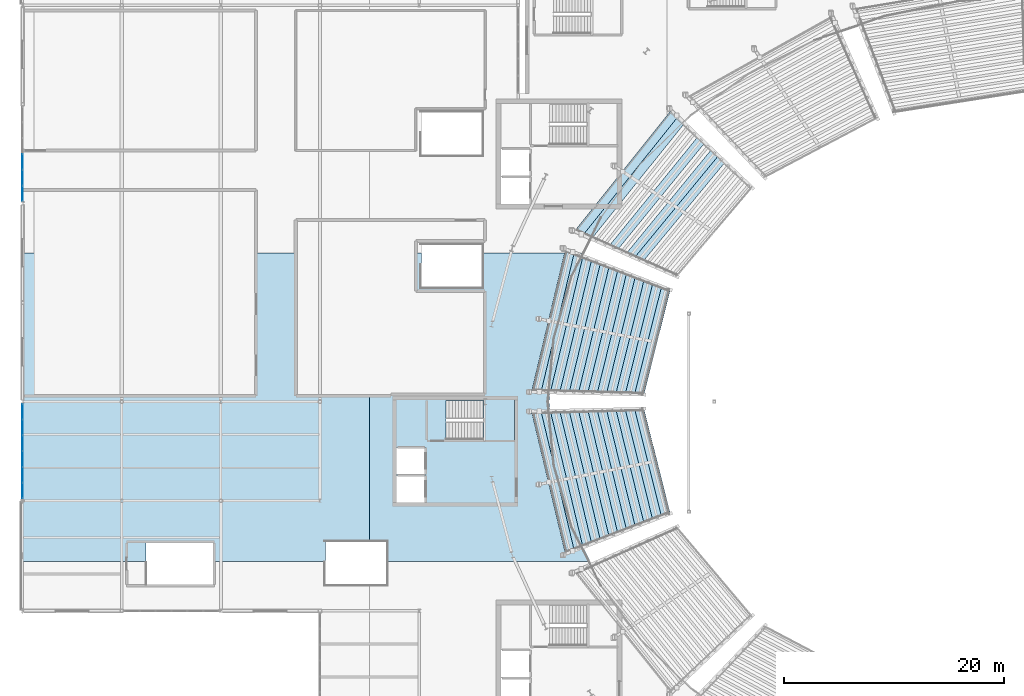
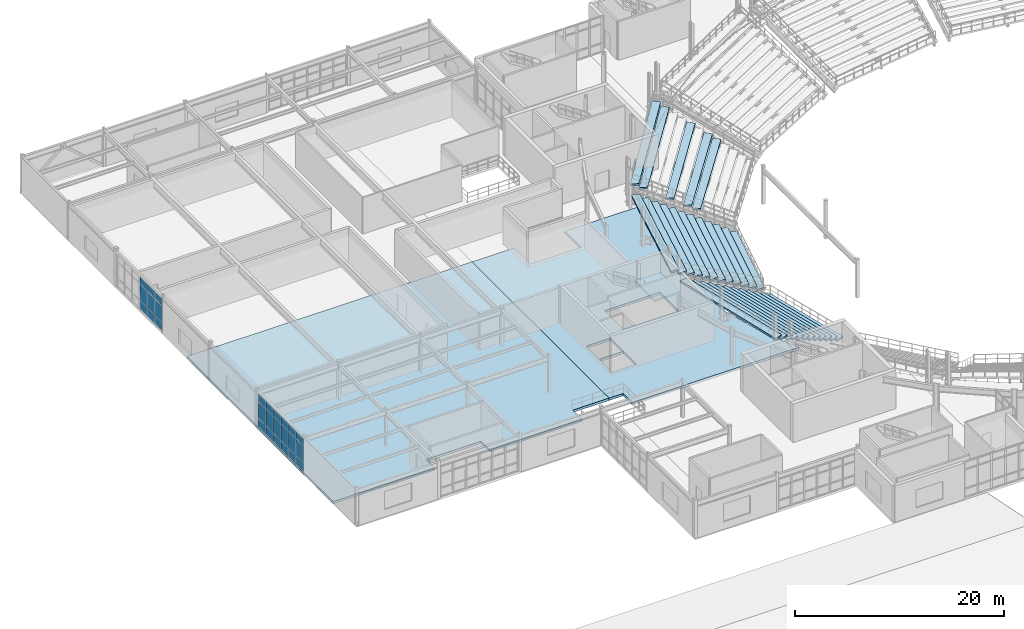
# One storey, part 47 of 81: 32 slabs, 27 plates, 3 elements without a shape of their own.
"""IFC4 building model written with IfcOpenShell, lengths in metres."""

from ifc_helpers import new_model, si_unit, direction, frame, origin, origin_2d, place, context, subcontext, project, spatial, polyline, rectangle, outline, extrude, material, layer, layer_set, type_object, element, aggregate, save


model = new_model("IFC4")

# Units and contexts
model_context = context("Model", 3, precision=1e-05, world=origin(), true_north=direction((0.0, 1.0)))
body_context = subcontext(model_context, "Body", "Model", "MODEL_VIEW")
ifc_project = project(units=[si_unit("LENGTHUNIT", "METRE"), si_unit("AREAUNIT", "SQUARE_METRE"), si_unit("VOLUMEUNIT", "CUBIC_METRE"), si_unit("PLANEANGLEUNIT", "RADIAN"), si_unit("MASSUNIT", "GRAM", prefix="KILO")], contexts=[model_context])

# Site, building, storey
site_placement = place(None, origin())
site = spatial("IfcSite", under=ifc_project, at=site_placement, CompositionType="ELEMENT")
building_placement = place(site_placement, origin())
building = spatial("IfcBuilding", under=site, at=building_placement, Name="Glasvene Arena", CompositionType="ELEMENT")
storey_placement = place(building_placement, frame((0.0, 0.0, 15.0)))
storey = spatial("IfcBuildingStorey", under=building, at=storey_placement, Name="L03", CompositionType="ELEMENT", Elevation=15.0)

# Curtain wall, plates
ifc_material_1 = material(Name="Low-emissivity laminated double glazing", Category="glass")
curtain_wall_type = type_object("IfcCurtainWallType", Name="CW-FAC-L03-864x388", PredefinedType="USERDEFINED", material=ifc_material_1)
curtain_wall_1_placement = place(storey_placement, frame((0.0, 64.19189453125, 0.0)))
curtain_wall_1 = element("IfcCurtainWall", 1, at=curtain_wall_1_placement, inside=storey, type_object=curtain_wall_type, Name="Unitised curtain wall CW-F-L03-150-0-685-4", ObjectType="CURTAIN WALL", PredefinedType="USERDEFINED")
ifc_layer_1 = layer(ifc_material_1, 0.028076171875)
ifc_layer_set_1 = layer_set([ifc_layer_1], Name="Low-emissivity laminated double glazing")
plate_type = type_object("IfcPlateType", Name="CW-GLZ-28", PredefinedType="CURTAIN_PANEL", material=ifc_layer_set_1)
plate_1_placement = place(storey_placement, frame((0.0, 64.924072265625, 0.10986328125), z_axis=(0.0, 0.0, 1.0), x_axis=(0.0, 1.0, 0.0)))
plate_1 = element("IfcPlate", 2, at=plate_1_placement, type_object=plate_type, Name="CW-033 panel 1.1", PredefinedType="CURTAIN_PANEL", context=body_context, shape_type="SweptSolid", body=[
    extrude(rectangle(XDim=1.3642578125, YDim=0.028076171875, at=origin_2d()), origin(), (0.0, 0.0, 1.0), 0.965087890625),
])
plate_2_placement = place(storey_placement, frame((0.0, 64.924072265625, 1.125), z_axis=(0.0, 0.0, 1.0), x_axis=(0.0, 1.0, 0.0)))
plate_2 = element("IfcPlate", 3, at=plate_2_placement, type_object=plate_type, Name="CW-033 panel 1.2", PredefinedType="CURTAIN_PANEL", context=body_context, shape_type="SweptSolid", body=[
    extrude(rectangle(XDim=1.3642578125, YDim=0.028076171875, at=origin_2d()), origin(), (0.0, 0.0, 1.0), 1.89501953125),
])
plate_3_placement = place(storey_placement, frame((0.0, 64.924072265625, 3.06982421875), z_axis=(0.0, 0.0, 1.0), x_axis=(0.0, 1.0, 0.0)))
plate_3 = element("IfcPlate", 4, at=plate_3_placement, type_object=plate_type, Name="CW-033 panel 1.3", PredefinedType="CURTAIN_PANEL", context=body_context, shape_type="SweptSolid", body=[
    extrude(rectangle(XDim=1.3642578125, YDim=0.028076171875, at=origin_2d()), origin(), (0.0, 0.0, 1.0), 0.824951171875),
])
plate_4_placement = place(storey_placement, frame((0.0, 66.35107421875, 0.10986328125), z_axis=(0.0, 0.0, 1.0), x_axis=(0.0, 1.0, 0.0)))
plate_4 = element("IfcPlate", 5, at=plate_4_placement, type_object=plate_type, Name="CW-033 panel 2.1", PredefinedType="CURTAIN_PANEL", context=body_context, shape_type="SweptSolid", body=[
    extrude(rectangle(XDim=1.389404296875, YDim=0.028076171875, at=origin_2d()), origin(), (0.0, 0.0, 1.0), 0.965087890625),
])
plate_5_placement = place(storey_placement, frame((0.0, 66.35107421875, 1.125), z_axis=(0.0, 0.0, 1.0), x_axis=(0.0, 1.0, 0.0)))
plate_5 = element("IfcPlate", 6, at=plate_5_placement, type_object=plate_type, Name="CW-033 panel 2.2", PredefinedType="CURTAIN_PANEL", context=body_context, shape_type="SweptSolid", body=[
    extrude(rectangle(XDim=1.389404296875, YDim=0.028076171875, at=origin_2d()), origin(), (0.0, 0.0, 1.0), 1.89501953125),
])
plate_6_placement = place(storey_placement, frame((0.0, 66.35107421875, 3.06982421875), z_axis=(0.0, 0.0, 1.0), x_axis=(0.0, 1.0, 0.0)))
plate_6 = element("IfcPlate", 7, at=plate_6_placement, type_object=plate_type, Name="CW-033 panel 2.3", PredefinedType="CURTAIN_PANEL", context=body_context, shape_type="SweptSolid", body=[
    extrude(rectangle(XDim=1.389404296875, YDim=0.028076171875, at=origin_2d()), origin(), (0.0, 0.0, 1.0), 0.824951171875),
])
plate_7_placement = place(storey_placement, frame((0.0, 67.790283203125, 0.10986328125), z_axis=(0.0, 0.0, 1.0), x_axis=(0.0, 1.0, 0.0)))
plate_7 = element("IfcPlate", 8, at=plate_7_placement, type_object=plate_type, Name="CW-033 panel 3.1", PredefinedType="CURTAIN_PANEL", context=body_context, shape_type="SweptSolid", body=[
    extrude(rectangle(XDim=1.389404296875, YDim=0.028076171875, at=origin_2d()), origin(), (0.0, 0.0, 1.0), 0.965087890625),
])
plate_8_placement = place(storey_placement, frame((0.0, 67.790283203125, 1.125), z_axis=(0.0, 0.0, 1.0), x_axis=(0.0, 1.0, 0.0)))
plate_8 = element("IfcPlate", 9, at=plate_8_placement, type_object=plate_type, Name="CW-033 panel 3.2", PredefinedType="CURTAIN_PANEL", context=body_context, shape_type="SweptSolid", body=[
    extrude(rectangle(XDim=1.389404296875, YDim=0.028076171875, at=origin_2d()), origin(), (0.0, 0.0, 1.0), 1.89501953125),
])
plate_9_placement = place(storey_placement, frame((0.0, 67.790283203125, 3.06982421875), z_axis=(0.0, 0.0, 1.0), x_axis=(0.0, 1.0, 0.0)))
plate_9 = element("IfcPlate", 10, at=plate_9_placement, type_object=plate_type, Name="CW-033 panel 3.3", PredefinedType="CURTAIN_PANEL", context=body_context, shape_type="SweptSolid", body=[
    extrude(rectangle(XDim=1.389404296875, YDim=0.028076171875, at=origin_2d()), origin(), (0.0, 0.0, 1.0), 0.824951171875),
])
plate_10_placement = place(storey_placement, frame((0.0, 69.2294921875, 0.10986328125), z_axis=(0.0, 0.0, 1.0), x_axis=(0.0, 1.0, 0.0)))
plate_10 = element("IfcPlate", 11, at=plate_10_placement, type_object=plate_type, Name="CW-033 panel 4.1", PredefinedType="CURTAIN_PANEL", context=body_context, shape_type="SweptSolid", body=[
    extrude(rectangle(XDim=1.389404296875, YDim=0.028076171875, at=origin_2d()), origin(), (0.0, 0.0, 1.0), 0.965087890625),
])
plate_11_placement = place(storey_placement, frame((0.0, 69.2294921875, 1.125), z_axis=(0.0, 0.0, 1.0), x_axis=(0.0, 1.0, 0.0)))
plate_11 = element("IfcPlate", 12, at=plate_11_placement, type_object=plate_type, Name="CW-033 panel 4.2", PredefinedType="CURTAIN_PANEL", context=body_context, shape_type="SweptSolid", body=[
    extrude(rectangle(XDim=1.389404296875, YDim=0.028076171875, at=origin_2d()), origin(), (0.0, 0.0, 1.0), 1.89501953125),
])
plate_12_placement = place(storey_placement, frame((0.0, 69.2294921875, 3.06982421875), z_axis=(0.0, 0.0, 1.0), x_axis=(0.0, 1.0, 0.0)))
plate_12 = element("IfcPlate", 13, at=plate_12_placement, type_object=plate_type, Name="CW-033 panel 4.3", PredefinedType="CURTAIN_PANEL", context=body_context, shape_type="SweptSolid", body=[
    extrude(rectangle(XDim=1.389404296875, YDim=0.028076171875, at=origin_2d()), origin(), (0.0, 0.0, 1.0), 0.824951171875),
])
plate_13_placement = place(storey_placement, frame((0.0, 70.6689453125, 0.10986328125), z_axis=(0.0, 0.0, 1.0), x_axis=(0.0, 1.0, 0.0)))
plate_13 = element("IfcPlate", 14, at=plate_13_placement, type_object=plate_type, Name="CW-033 panel 5.1", PredefinedType="CURTAIN_PANEL", context=body_context, shape_type="SweptSolid", body=[
    extrude(rectangle(XDim=1.389404296875, YDim=0.028076171875, at=origin_2d()), origin(), (0.0, 0.0, 1.0), 0.965087890625),
])
plate_14_placement = place(storey_placement, frame((0.0, 70.6689453125, 1.125), z_axis=(0.0, 0.0, 1.0), x_axis=(0.0, 1.0, 0.0)))
plate_14 = element("IfcPlate", 15, at=plate_14_placement, type_object=plate_type, Name="CW-033 panel 5.2", PredefinedType="CURTAIN_PANEL", context=body_context, shape_type="SweptSolid", body=[
    extrude(rectangle(XDim=1.389404296875, YDim=0.028076171875, at=origin_2d()), origin(), (0.0, 0.0, 1.0), 1.89501953125),
])
plate_15_placement = place(storey_placement, frame((0.0, 70.6689453125, 3.06982421875), z_axis=(0.0, 0.0, 1.0), x_axis=(0.0, 1.0, 0.0)))
plate_15 = element("IfcPlate", 16, at=plate_15_placement, type_object=plate_type, Name="CW-033 panel 5.3", PredefinedType="CURTAIN_PANEL", context=body_context, shape_type="SweptSolid", body=[
    extrude(rectangle(XDim=1.389404296875, YDim=0.028076171875, at=origin_2d()), origin(), (0.0, 0.0, 1.0), 0.824951171875),
])
plate_16_placement = place(storey_placement, frame((0.0, 72.095703125, 0.10986328125), z_axis=(0.0, 0.0, 1.0), x_axis=(0.0, 1.0, 0.0)))
plate_16 = element("IfcPlate", 17, at=plate_16_placement, type_object=plate_type, Name="CW-033 panel 6.1", PredefinedType="CURTAIN_PANEL", context=body_context, shape_type="SweptSolid", body=[
    extrude(rectangle(XDim=1.3642578125, YDim=0.028076171875, at=origin_2d()), origin(), (0.0, 0.0, 1.0), 0.965087890625),
])
plate_17_placement = place(storey_placement, frame((0.0, 72.095703125, 1.125), z_axis=(0.0, 0.0, 1.0), x_axis=(0.0, 1.0, 0.0)))
plate_17 = element("IfcPlate", 18, at=plate_17_placement, type_object=plate_type, Name="CW-033 panel 6.2", PredefinedType="CURTAIN_PANEL", context=body_context, shape_type="SweptSolid", body=[
    extrude(rectangle(XDim=1.3642578125, YDim=0.028076171875, at=origin_2d()), origin(), (0.0, 0.0, 1.0), 1.89501953125),
])
plate_18_placement = place(storey_placement, frame((0.0, 72.095703125, 3.06982421875), z_axis=(0.0, 0.0, 1.0), x_axis=(0.0, 1.0, 0.0)))
plate_18 = element("IfcPlate", 19, at=plate_18_placement, type_object=plate_type, Name="CW-033 panel 6.3", PredefinedType="CURTAIN_PANEL", context=body_context, shape_type="SweptSolid", body=[
    extrude(rectangle(XDim=1.3642578125, YDim=0.028076171875, at=origin_2d()), origin(), (0.0, 0.0, 1.0), 0.824951171875),
])
aggregate(curtain_wall_1, [plate_1, plate_2, plate_3, plate_4, plate_5, plate_6, plate_7, plate_8, plate_9, plate_10, plate_11, plate_12, plate_13, plate_14, plate_15, plate_16, plate_17, plate_18])

curtain_wall_2_placement = place(storey_placement, frame((0.0, 91.172119140625, 0.0)))
curtain_wall_2 = element("IfcCurtainWall", 20, at=curtain_wall_2_placement, inside=storey, type_object=curtain_wall_type, Name="Unitised curtain wall CW-F-L03-150-0-955-7", ObjectType="CURTAIN WALL", PredefinedType="USERDEFINED")
plate_19_placement = place(storey_placement, frame((0.0, 91.904296875, 0.10986328125), z_axis=(0.0, 0.0, 1.0), x_axis=(0.0, 1.0, 0.0)))
plate_19 = element("IfcPlate", 21, at=plate_19_placement, type_object=plate_type, Name="CW-033 panel 1.1", PredefinedType="CURTAIN_PANEL", context=body_context, shape_type="SweptSolid", body=[
    extrude(rectangle(XDim=1.3642578125, YDim=0.028076171875, at=origin_2d()), origin(), (0.0, 0.0, 1.0), 0.965087890625),
])
plate_20_placement = place(storey_placement, frame((0.0, 91.904296875, 1.125), z_axis=(0.0, 0.0, 1.0), x_axis=(0.0, 1.0, 0.0)))
plate_20 = element("IfcPlate", 22, at=plate_20_placement, type_object=plate_type, Name="CW-033 panel 1.2", PredefinedType="CURTAIN_PANEL", context=body_context, shape_type="SweptSolid", body=[
    extrude(rectangle(XDim=1.3642578125, YDim=0.028076171875, at=origin_2d()), origin(), (0.0, 0.0, 1.0), 1.89501953125),
])
plate_21_placement = place(storey_placement, frame((0.0, 91.904296875, 3.06982421875), z_axis=(0.0, 0.0, 1.0), x_axis=(0.0, 1.0, 0.0)))
plate_21 = element("IfcPlate", 23, at=plate_21_placement, type_object=plate_type, Name="CW-033 panel 1.3", PredefinedType="CURTAIN_PANEL", context=body_context, shape_type="SweptSolid", body=[
    extrude(rectangle(XDim=1.3642578125, YDim=0.028076171875, at=origin_2d()), origin(), (0.0, 0.0, 1.0), 0.824951171875),
])
plate_22_placement = place(storey_placement, frame((0.0, 93.3310546875, 0.10986328125), z_axis=(0.0, 0.0, 1.0), x_axis=(0.0, 1.0, 0.0)))
plate_22 = element("IfcPlate", 24, at=plate_22_placement, type_object=plate_type, Name="CW-033 panel 2.1", PredefinedType="CURTAIN_PANEL", context=body_context, shape_type="SweptSolid", body=[
    extrude(rectangle(XDim=1.389404296875, YDim=0.028076171875, at=origin_2d()), origin(), (0.0, 0.0, 1.0), 0.965087890625),
])
plate_23_placement = place(storey_placement, frame((0.0, 93.3310546875, 1.125), z_axis=(0.0, 0.0, 1.0), x_axis=(0.0, 1.0, 0.0)))
plate_23 = element("IfcPlate", 25, at=plate_23_placement, type_object=plate_type, Name="CW-033 panel 2.2", PredefinedType="CURTAIN_PANEL", context=body_context, shape_type="SweptSolid", body=[
    extrude(rectangle(XDim=1.389404296875, YDim=0.028076171875, at=origin_2d()), origin(), (0.0, 0.0, 1.0), 1.89501953125),
])
plate_24_placement = place(storey_placement, frame((0.0, 93.3310546875, 3.06982421875), z_axis=(0.0, 0.0, 1.0), x_axis=(0.0, 1.0, 0.0)))
plate_24 = element("IfcPlate", 26, at=plate_24_placement, type_object=plate_type, Name="CW-033 panel 2.3", PredefinedType="CURTAIN_PANEL", context=body_context, shape_type="SweptSolid", body=[
    extrude(rectangle(XDim=1.389404296875, YDim=0.028076171875, at=origin_2d()), origin(), (0.0, 0.0, 1.0), 0.824951171875),
])
plate_25_placement = place(storey_placement, frame((0.0, 94.7705078125, 0.10986328125), z_axis=(0.0, 0.0, 1.0), x_axis=(0.0, 1.0, 0.0)))
plate_25 = element("IfcPlate", 27, at=plate_25_placement, type_object=plate_type, Name="CW-033 panel 3.1", PredefinedType="CURTAIN_PANEL", context=body_context, shape_type="SweptSolid", body=[
    extrude(rectangle(XDim=1.389404296875, YDim=0.028076171875, at=origin_2d()), origin(), (0.0, 0.0, 1.0), 0.965087890625),
])
plate_26_placement = place(storey_placement, frame((0.0, 94.7705078125, 1.125), z_axis=(0.0, 0.0, 1.0), x_axis=(0.0, 1.0, 0.0)))
plate_26 = element("IfcPlate", 28, at=plate_26_placement, type_object=plate_type, Name="CW-033 panel 3.2", PredefinedType="CURTAIN_PANEL", context=body_context, shape_type="SweptSolid", body=[
    extrude(rectangle(XDim=1.389404296875, YDim=0.028076171875, at=origin_2d()), origin(), (0.0, 0.0, 1.0), 1.89501953125),
])
plate_27_placement = place(storey_placement, frame((0.0, 94.7705078125, 3.06982421875), z_axis=(0.0, 0.0, 1.0), x_axis=(0.0, 1.0, 0.0)))
plate_27 = element("IfcPlate", 29, at=plate_27_placement, type_object=plate_type, Name="CW-033 panel 3.3", PredefinedType="CURTAIN_PANEL", context=body_context, shape_type="SweptSolid", body=[
    extrude(rectangle(XDim=1.389404296875, YDim=0.028076171875, at=origin_2d()), origin(), (0.0, 0.0, 1.0), 0.824951171875),
])
aggregate(curtain_wall_2, [plate_19, plate_20, plate_21, plate_22, plate_23, plate_24, plate_25, plate_26, plate_27])

# Slabs
ifc_material_2 = material(Name="Concrete C40/50", Category="concrete")
ifc_layer_2 = layer(ifc_material_2, 0.280029296875)
ifc_layer_set_2 = layer_set([ifc_layer_2], Name="Concrete C40/50")
slab_type_1 = type_object("IfcSlabType", Name="SL-CONC-280", PredefinedType="FLOOR", material=ifc_layer_set_2)
slab_1_placement = place(storey_placement, frame((17.500732421875, 64.780029296875, -0.280029296875)))
element("IfcSlab", 30, at=slab_1_placement, inside=storey, type_object=slab_type_1, Name="Structural floor slab L03 sector 3-1 (91)", PredefinedType="FLOOR", context=body_context, shape_type="SweptSolid", body=[
    extrude(outline(polyline([(13.999267578125, 21.719970703125), (13.999267578125, -4.530029296875), (10.001220703125, -4.530029296875), (10.001220703125, -6.280029296875), (-0.20068359375, -6.280029296875), (-0.20068359375, -4.630126953125), (-6.298828125, -4.630126953125), (-6.298828125, -6.280029296875), (-17.500732421875, -6.280029296875), (-17.500732421875, 21.719970703125), (13.999267578125, 21.719970703125)])), origin(), (0.0, 0.0, 1.0), 0.280029296875),
])
slab_2_placement = place(storey_placement, frame((42.130615234375, 74.353271484375, -0.280029296875)))
element("IfcSlab", 31, at=slab_2_placement, inside=storey, type_object=slab_type_1, Name="Structural floor slab L03 sector 3-2 (92)", PredefinedType="FLOOR", context=body_context, shape_type="SweptSolid", body=[
    extrude(outline(polyline([(6.213623046875, 4.387939453125), (5.66943359375, -1.353271484375), (6.213623046875, -7.094482421875), (7.832763671875, -12.694091796875), (9.40869140625, -15.853271484375), (-9.090576171875, -15.853271484375), (-9.090576171875, -14.103271484375), (-10.630615234375, -14.103271484375), (-10.630615234375, 12.146728515625), (-5.9287109375, 12.146728515625), (-5.9287109375, 9.046630859375), (-0.390625, 9.046630859375), (-0.390625, 12.146728515625), (8.90966796875, 12.146728515625), (7.832763671875, 9.987548828125), (6.213623046875, 4.387939453125)]), holes=[polyline([(-5.530517578125, -10.503173828125), (-5.530517578125, -8.05322265625), (-8.1806640625, -8.05322265625), (-8.1806640625, -10.503173828125), (-5.530517578125, -10.503173828125)]), polyline([(-5.530517578125, -7.953369140625), (-5.530517578125, -5.503173828125), (-8.1806640625, -5.503173828125), (-8.1806640625, -7.953369140625), (-5.530517578125, -7.953369140625)]), polyline([(2.41943359375, -4.80322265625), (2.41943359375, -1.253173828125), (-3.6787109375, -1.253173828125), (-3.6787109375, -4.80322265625), (2.41943359375, -4.80322265625)])]), origin(), (0.0, 0.0, 1.0), 0.280029296875),
])

# Stair, slab
stair_type = type_object("IfcStairType", Name="ST-HT-450-165", PredefinedType="HALF_TURN_STAIR", material=ifc_material_2)
stair_placement = place(storey_placement, origin())
stair = element("IfcStair", 32, at=stair_placement, inside=storey, type_object=stair_type, Name="Protected escape stair ST-07 (L03 to L04)", PredefinedType="HALF_TURN_STAIR")
ifc_layer_3 = layer(ifc_material_2, 0.219970703125)
ifc_layer_set_3 = layer_set([ifc_layer_3], Name="Concrete C40/50")
slab_type_2 = type_object("IfcSlabType", Name="SL-LAND-220", PredefinedType="LANDING", material=ifc_layer_set_3)
slab_3_placement = place(storey_placement, frame((43.22998046875, 71.324951171875, 2.030029296875)))
slab_3 = element("IfcSlab", 33, at=slab_3_placement, type_object=slab_type_2, Name="Protected escape stair ST-07 (L03 to L04) landing 1", PredefinedType="LANDING", context=body_context, shape_type="SweptSolid", body=[
    extrude(outline(polyline([(-1.419921875, -1.875), (1.419921875, -1.875), (1.419921875, 1.875), (-1.419921875, 1.875), (-1.419921875, -1.875)])), origin(), (0.0, 0.0, 1.0), 0.219970703125),
])
aggregate(stair, [slab_3])

# Slabs
ifc_material_3 = material(Name="Precast concrete C50/60", Category="concrete")
ifc_layer_4 = layer(ifc_material_3, 0.199951171875)
ifc_layer_set_4 = layer_set([ifc_layer_4], Name="Precast concrete C50/60")
slab_type_3 = type_object("IfcSlabType", Name="SL-TIER-UP", PredefinedType="USERDEFINED", material=ifc_layer_set_4)
slab_4_placement = place(storey_placement, frame((59.71240234375, 90.4697265625, -2.179931640625)))
element("IfcSlab", 34, at=slab_4_placement, inside=storey, type_object=slab_type_3, Name="Stand upper tier sector 07 row 05", ObjectType="SEATING TIER", PredefinedType="USERDEFINED", context=body_context, shape_type="SweptSolid", body=[
    extrude(outline(polyline([(4.091796875, 4.29296875), (-3.395751953125, -4.758056640625), (-4.173583984375, -4.4150390625), (3.477294921875, 4.88037109375), (4.091796875, 4.29296875)])), origin(), (0.0, 0.0, 1.0), 0.199951171875),
])
slab_5_placement = place(storey_placement, frame((59.016357421875, 90.934814453125, -1.699951171875)))
element("IfcSlab", 35, at=slab_5_placement, inside=storey, type_object=slab_type_3, Name="Stand upper tier sector 07 row 06", ObjectType="SEATING TIER", PredefinedType="USERDEFINED", context=body_context, shape_type="SweptSolid", body=[
    extrude(outline(polyline([(4.17333984375, 4.415283203125), (-3.4775390625, -4.880126953125), (-4.25537109375, -4.537109375), (3.558837890625, 5.00244140625), (4.17333984375, 4.415283203125)])), origin(), (0.0, 0.0, 1.0), 0.199951171875),
])
slab_6_placement = place(storey_placement, frame((57.6240234375, 91.865234375, -0.739990234375)))
element("IfcSlab", 36, at=slab_6_placement, inside=storey, type_object=slab_type_3, Name="Stand upper tier sector 07 row 08", ObjectType="SEATING TIER", PredefinedType="USERDEFINED", context=body_context, shape_type="SweptSolid", body=[
    extrude(outline(polyline([(4.336669921875, 4.6591796875), (-3.640625, -5.12451171875), (-4.418212890625, -4.781494140625), (3.72216796875, 5.24658203125), (4.336669921875, 4.6591796875)])), origin(), (0.0, 0.0, 1.0), 0.199951171875),
])
slab_7_placement = place(storey_placement, frame((55.53564453125, 93.260498046875, 0.699951171875)))
element("IfcSlab", 37, at=slab_7_placement, inside=storey, type_object=slab_type_3, Name="Stand upper tier sector 07 row 11", ObjectType="SEATING TIER", PredefinedType="USERDEFINED", context=body_context, shape_type="SweptSolid", body=[
    extrude(outline(polyline([(4.58154296875, 5.02587890625), (-3.88525390625, -5.49072265625), (-4.6630859375, -5.147705078125), (3.967041015625, 5.613037109375), (4.58154296875, 5.02587890625)])), origin(), (0.0, 0.0, 1.0), 0.199951171875),
])
slab_8_placement = place(storey_placement, frame((54.839599609375, 93.725830078125, 1.179931640625)))
element("IfcSlab", 38, at=slab_8_placement, inside=storey, type_object=slab_type_3, Name="Stand upper tier sector 07 row 12", ObjectType="SEATING TIER", PredefinedType="USERDEFINED", context=body_context, shape_type="SweptSolid", body=[
    extrude(outline(polyline([(4.6630859375, 5.147705078125), (-3.967041015625, -5.613037109375), (-4.744873046875, -5.27001953125), (4.048583984375, 5.73486328125), (4.6630859375, 5.147705078125)])), origin(), (0.0, 0.0, 1.0), 0.199951171875),
])
slab_9_placement = place(storey_placement, frame((57.19873046875, 78.481201171875, -4.10009765625)))
element("IfcSlab", 39, at=slab_9_placement, inside=storey, type_object=slab_type_3, Name="Stand upper tier sector 08 row 01", ObjectType="SEATING TIER", PredefinedType="USERDEFINED", context=body_context, shape_type="SweptSolid", body=[
    extrude(outline(polyline([(1.610595703125, 4.680419921875), (-0.78955078125, -4.84375), (-1.639404296875, -4.824462890625), (0.818115234375, 4.98779296875), (1.610595703125, 4.680419921875)])), origin(), (0.0, 0.0, 1.0), 0.2001953125),
])
slab_10_placement = place(storey_placement, frame((56.37744140625, 78.64453125, -3.6201171875)))
element("IfcSlab", 40, at=slab_10_placement, inside=storey, type_object=slab_type_3, Name="Stand upper tier sector 08 row 02", ObjectType="SEATING TIER", PredefinedType="USERDEFINED", context=body_context, shape_type="SweptSolid", body=[
    extrude(outline(polyline([(1.639404296875, 4.824462890625), (-0.818115234375, -4.98779296875), (-1.667724609375, -4.968505859375), (0.846923828125, 5.1318359375), (1.639404296875, 4.824462890625)])), origin(), (0.0, 0.0, 1.0), 0.2001953125),
])
slab_11_placement = place(storey_placement, frame((55.556396484375, 78.807861328125, -3.139892578125)))
element("IfcSlab", 41, at=slab_11_placement, inside=storey, type_object=slab_type_3, Name="Stand upper tier sector 08 row 03", ObjectType="SEATING TIER", PredefinedType="USERDEFINED", context=body_context, shape_type="SweptSolid", body=[
    extrude(outline(polyline([(1.66796875, 4.968505859375), (-0.8466796875, -5.1318359375), (-1.696533203125, -5.112548828125), (0.87548828125, 5.27587890625), (1.66796875, 4.968505859375)])), origin(), (0.0, 0.0, 1.0), 0.199951171875),
])
slab_12_placement = place(storey_placement, frame((54.7353515625, 78.97119140625, -2.659912109375)))
element("IfcSlab", 42, at=slab_12_placement, inside=storey, type_object=slab_type_3, Name="Stand upper tier sector 08 row 04", ObjectType="SEATING TIER", PredefinedType="USERDEFINED", context=body_context, shape_type="SweptSolid", body=[
    extrude(outline(polyline([(1.696533203125, 5.112548828125), (-0.87548828125, -5.27587890625), (-1.725341796875, -5.256591796875), (0.904052734375, 5.419921875), (1.696533203125, 5.112548828125)])), origin(), (0.0, 0.0, 1.0), 0.199951171875),
])
slab_13_placement = place(storey_placement, frame((53.9140625, 79.134521484375, -2.179931640625)))
element("IfcSlab", 43, at=slab_13_placement, inside=storey, type_object=slab_type_3, Name="Stand upper tier sector 08 row 05", ObjectType="SEATING TIER", PredefinedType="USERDEFINED", context=body_context, shape_type="SweptSolid", body=[
    extrude(outline(polyline([(1.725341796875, 5.256591796875), (-0.904052734375, -5.419921875), (-1.753662109375, -5.400634765625), (0.932861328125, 5.56396484375), (1.725341796875, 5.256591796875)])), origin(), (0.0, 0.0, 1.0), 0.199951171875),
])
slab_14_placement = place(storey_placement, frame((53.093017578125, 79.2978515625, -1.699951171875)))
element("IfcSlab", 44, at=slab_14_placement, inside=storey, type_object=slab_type_3, Name="Stand upper tier sector 08 row 06", ObjectType="SEATING TIER", PredefinedType="USERDEFINED", context=body_context, shape_type="SweptSolid", body=[
    extrude(outline(polyline([(1.75390625, 5.400634765625), (-0.9326171875, -5.56396484375), (-1.782470703125, -5.544677734375), (0.96142578125, 5.7080078125), (1.75390625, 5.400634765625)])), origin(), (0.0, 0.0, 1.0), 0.199951171875),
])
slab_15_placement = place(storey_placement, frame((52.27197265625, 79.461181640625, -1.219970703125)))
element("IfcSlab", 45, at=slab_15_placement, inside=storey, type_object=slab_type_3, Name="Stand upper tier sector 08 row 07", ObjectType="SEATING TIER", PredefinedType="USERDEFINED", context=body_context, shape_type="SweptSolid", body=[
    extrude(outline(polyline([(1.782470703125, 5.544677734375), (-0.96142578125, -5.7080078125), (-1.811279296875, -5.688720703125), (0.989990234375, 5.85205078125), (1.782470703125, 5.544677734375)])), origin(), (0.0, 0.0, 1.0), 0.199951171875),
])
slab_16_placement = place(storey_placement, frame((51.45068359375, 79.62451171875, -0.739990234375)))
element("IfcSlab", 46, at=slab_16_placement, inside=storey, type_object=slab_type_3, Name="Stand upper tier sector 08 row 08", ObjectType="SEATING TIER", PredefinedType="USERDEFINED", context=body_context, shape_type="SweptSolid", body=[
    extrude(outline(polyline([(1.811279296875, 5.688720703125), (-0.989990234375, -5.85205078125), (-1.83984375, -5.832763671875), (1.018798828125, 5.99609375), (1.811279296875, 5.688720703125)])), origin(), (0.0, 0.0, 1.0), 0.199951171875),
])
slab_17_placement = place(storey_placement, frame((50.629638671875, 79.787841796875, -0.260009765625)))
element("IfcSlab", 47, at=slab_17_placement, inside=storey, type_object=slab_type_3, Name="Stand upper tier sector 08 row 09", ObjectType="SEATING TIER", PredefinedType="USERDEFINED", context=body_context, shape_type="SweptSolid", body=[
    extrude(outline(polyline([(1.83984375, 5.832763671875), (-1.018798828125, -5.99609375), (-1.86865234375, -5.976806640625), (1.04736328125, 6.14013671875), (1.83984375, 5.832763671875)])), origin(), (0.0, 0.0, 1.0), 0.199951171875),
])
slab_18_placement = place(storey_placement, frame((49.80859375, 79.951171875, 0.219970703125)))
element("IfcSlab", 48, at=slab_18_placement, inside=storey, type_object=slab_type_3, Name="Stand upper tier sector 08 row 10", ObjectType="SEATING TIER", PredefinedType="USERDEFINED", context=body_context, shape_type="SweptSolid", body=[
    extrude(outline(polyline([(1.868408203125, 5.976806640625), (-1.047607421875, -6.14013671875), (-1.897216796875, -6.120849609375), (1.075927734375, 6.284423828125), (1.868408203125, 5.976806640625)])), origin(), (0.0, 0.0, 1.0), 0.199951171875),
])
slab_19_placement = place(storey_placement, frame((48.9873046875, 80.114501953125, 0.699951171875)))
element("IfcSlab", 49, at=slab_19_placement, inside=storey, type_object=slab_type_3, Name="Stand upper tier sector 08 row 11", ObjectType="SEATING TIER", PredefinedType="USERDEFINED", context=body_context, shape_type="SweptSolid", body=[
    extrude(outline(polyline([(1.897216796875, 6.12109375), (-1.075927734375, -6.2841796875), (-1.92578125, -6.264892578125), (1.104736328125, 6.42822265625), (1.897216796875, 6.12109375)])), origin(), (0.0, 0.0, 1.0), 0.199951171875),
])
slab_20_placement = place(storey_placement, frame((48.166259765625, 80.27783203125, 1.179931640625)))
element("IfcSlab", 50, at=slab_20_placement, inside=storey, type_object=slab_type_3, Name="Stand upper tier sector 08 row 12", ObjectType="SEATING TIER", PredefinedType="USERDEFINED", context=body_context, shape_type="SweptSolid", body=[
    extrude(outline(polyline([(1.92578125, 6.264892578125), (-1.104736328125, -6.42822265625), (-1.954345703125, -6.408935546875), (1.13330078125, 6.572265625), (1.92578125, 6.264892578125)])), origin(), (0.0, 0.0, 1.0), 0.199951171875),
])
slab_21_placement = place(storey_placement, frame((57.19873046875, 67.518798828125, -4.10009765625)))
element("IfcSlab", 51, at=slab_21_placement, inside=storey, type_object=slab_type_3, Name="Stand upper tier sector 09 row 01", ObjectType="SEATING TIER", PredefinedType="USERDEFINED", context=body_context, shape_type="SweptSolid", body=[
    extrude(outline(polyline([(-0.78955078125, 4.84375), (1.610595703125, -4.680419921875), (0.818115234375, -4.98779296875), (-1.639404296875, 4.824462890625), (-0.78955078125, 4.84375)])), origin(), (0.0, 0.0, 1.0), 0.2001953125),
])
slab_22_placement = place(storey_placement, frame((56.37744140625, 67.35546875, -3.6201171875)))
element("IfcSlab", 52, at=slab_22_placement, inside=storey, type_object=slab_type_3, Name="Stand upper tier sector 09 row 02", ObjectType="SEATING TIER", PredefinedType="USERDEFINED", context=body_context, shape_type="SweptSolid", body=[
    extrude(outline(polyline([(-0.818115234375, 4.98779296875), (1.639404296875, -4.824462890625), (0.846923828125, -5.1318359375), (-1.667724609375, 4.968505859375), (-0.818115234375, 4.98779296875)])), origin(), (0.0, 0.0, 1.0), 0.2001953125),
])
slab_23_placement = place(storey_placement, frame((55.556396484375, 67.192138671875, -3.139892578125)))
element("IfcSlab", 53, at=slab_23_placement, inside=storey, type_object=slab_type_3, Name="Stand upper tier sector 09 row 03", ObjectType="SEATING TIER", PredefinedType="USERDEFINED", context=body_context, shape_type="SweptSolid", body=[
    extrude(outline(polyline([(-0.8466796875, 5.1318359375), (1.66796875, -4.968505859375), (0.87548828125, -5.27587890625), (-1.696533203125, 5.112548828125), (-0.8466796875, 5.1318359375)])), origin(), (0.0, 0.0, 1.0), 0.199951171875),
])
slab_24_placement = place(storey_placement, frame((54.7353515625, 67.02880859375, -2.659912109375)))
element("IfcSlab", 54, at=slab_24_placement, inside=storey, type_object=slab_type_3, Name="Stand upper tier sector 09 row 04", ObjectType="SEATING TIER", PredefinedType="USERDEFINED", context=body_context, shape_type="SweptSolid", body=[
    extrude(outline(polyline([(-0.87548828125, 5.27587890625), (1.696533203125, -5.112548828125), (0.904052734375, -5.419921875), (-1.725341796875, 5.256591796875), (-0.87548828125, 5.27587890625)])), origin(), (0.0, 0.0, 1.0), 0.199951171875),
])
slab_25_placement = place(storey_placement, frame((53.9140625, 66.865478515625, -2.179931640625)))
element("IfcSlab", 55, at=slab_25_placement, inside=storey, type_object=slab_type_3, Name="Stand upper tier sector 09 row 05", ObjectType="SEATING TIER", PredefinedType="USERDEFINED", context=body_context, shape_type="SweptSolid", body=[
    extrude(outline(polyline([(-0.904052734375, 5.419921875), (1.725341796875, -5.256591796875), (0.932861328125, -5.56396484375), (-1.753662109375, 5.400634765625), (-0.904052734375, 5.419921875)])), origin(), (0.0, 0.0, 1.0), 0.199951171875),
])
slab_26_placement = place(storey_placement, frame((53.093017578125, 66.7021484375, -1.699951171875)))
element("IfcSlab", 56, at=slab_26_placement, inside=storey, type_object=slab_type_3, Name="Stand upper tier sector 09 row 06", ObjectType="SEATING TIER", PredefinedType="USERDEFINED", context=body_context, shape_type="SweptSolid", body=[
    extrude(outline(polyline([(-0.9326171875, 5.56396484375), (1.75390625, -5.400634765625), (0.96142578125, -5.7080078125), (-1.782470703125, 5.544677734375), (-0.9326171875, 5.56396484375)])), origin(), (0.0, 0.0, 1.0), 0.199951171875),
])
slab_27_placement = place(storey_placement, frame((52.27197265625, 66.538818359375, -1.219970703125)))
element("IfcSlab", 57, at=slab_27_placement, inside=storey, type_object=slab_type_3, Name="Stand upper tier sector 09 row 07", ObjectType="SEATING TIER", PredefinedType="USERDEFINED", context=body_context, shape_type="SweptSolid", body=[
    extrude(outline(polyline([(-0.96142578125, 5.7080078125), (1.782470703125, -5.544677734375), (0.989990234375, -5.85205078125), (-1.811279296875, 5.688720703125), (-0.96142578125, 5.7080078125)])), origin(), (0.0, 0.0, 1.0), 0.199951171875),
])
slab_28_placement = place(storey_placement, frame((51.45068359375, 66.37548828125, -0.739990234375)))
element("IfcSlab", 58, at=slab_28_placement, inside=storey, type_object=slab_type_3, Name="Stand upper tier sector 09 row 08", ObjectType="SEATING TIER", PredefinedType="USERDEFINED", context=body_context, shape_type="SweptSolid", body=[
    extrude(outline(polyline([(-0.989990234375, 5.85205078125), (1.811279296875, -5.688720703125), (1.018798828125, -5.99609375), (-1.83984375, 5.832763671875), (-0.989990234375, 5.85205078125)])), origin(), (0.0, 0.0, 1.0), 0.199951171875),
])
slab_29_placement = place(storey_placement, frame((50.629638671875, 66.212158203125, -0.260009765625)))
element("IfcSlab", 59, at=slab_29_placement, inside=storey, type_object=slab_type_3, Name="Stand upper tier sector 09 row 09", ObjectType="SEATING TIER", PredefinedType="USERDEFINED", context=body_context, shape_type="SweptSolid", body=[
    extrude(outline(polyline([(-1.018798828125, 5.99609375), (1.83984375, -5.832763671875), (1.04736328125, -6.14013671875), (-1.86865234375, 5.976806640625), (-1.018798828125, 5.99609375)])), origin(), (0.0, 0.0, 1.0), 0.199951171875),
])
slab_30_placement = place(storey_placement, frame((49.80859375, 66.048828125, 0.219970703125)))
element("IfcSlab", 60, at=slab_30_placement, inside=storey, type_object=slab_type_3, Name="Stand upper tier sector 09 row 10", ObjectType="SEATING TIER", PredefinedType="USERDEFINED", context=body_context, shape_type="SweptSolid", body=[
    extrude(outline(polyline([(-1.047607421875, 6.14013671875), (1.868408203125, -5.976806640625), (1.075927734375, -6.284423828125), (-1.897216796875, 6.120849609375), (-1.047607421875, 6.14013671875)])), origin(), (0.0, 0.0, 1.0), 0.199951171875),
])
slab_31_placement = place(storey_placement, frame((48.9873046875, 65.885498046875, 0.699951171875)))
element("IfcSlab", 61, at=slab_31_placement, inside=storey, type_object=slab_type_3, Name="Stand upper tier sector 09 row 11", ObjectType="SEATING TIER", PredefinedType="USERDEFINED", context=body_context, shape_type="SweptSolid", body=[
    extrude(outline(polyline([(-1.075927734375, 6.2841796875), (1.897216796875, -6.12109375), (1.104736328125, -6.42822265625), (-1.92578125, 6.264892578125), (-1.075927734375, 6.2841796875)])), origin(), (0.0, 0.0, 1.0), 0.199951171875),
])
slab_32_placement = place(storey_placement, frame((48.166259765625, 65.72216796875, 1.179931640625)))
element("IfcSlab", 62, at=slab_32_placement, inside=storey, type_object=slab_type_3, Name="Stand upper tier sector 09 row 12", ObjectType="SEATING TIER", PredefinedType="USERDEFINED", context=body_context, shape_type="SweptSolid", body=[
    extrude(outline(polyline([(-1.104736328125, 6.42822265625), (1.92578125, -6.264892578125), (1.13330078125, -6.572265625), (-1.954345703125, 6.408935546875), (-1.104736328125, 6.42822265625)])), origin(), (0.0, 0.0, 1.0), 0.199951171875),
])

save(model, "model.ifc")
